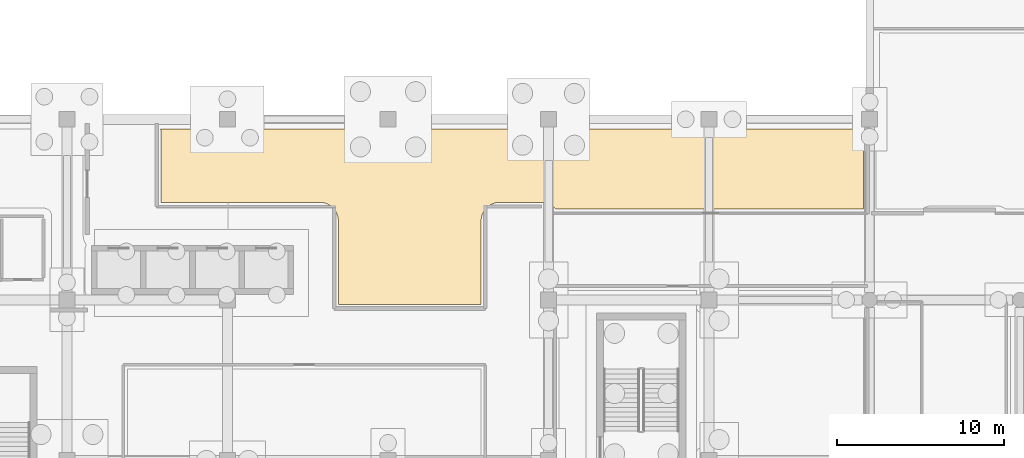
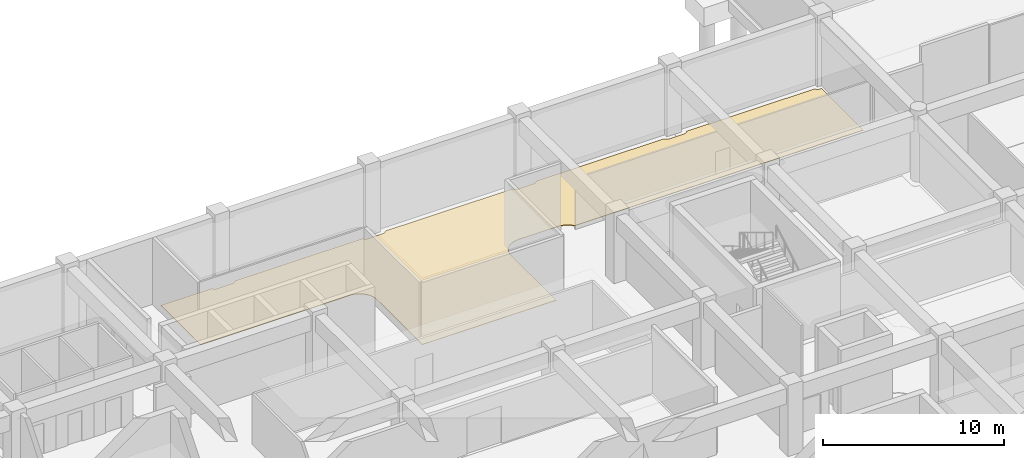
# One storey, part 28 of 47: 1 covering.
"""IFC4 building model written with IfcOpenShell, lengths in metres."""

from ifc_helpers import new_model, si_unit, direction, frame, origin, place, context, subcontext, project, spatial, polyline, outline, extrude, material, layer, layer_set, type_object, element, save


model = new_model("IFC4")

# Units and contexts
model_context = context("Model", 3, precision=1e-05, world=origin(), true_north=direction((0.0, 1.0)))
body_context = subcontext(model_context, "Body", "Model", "MODEL_VIEW")
ifc_project = project(units=[si_unit("LENGTHUNIT", "METRE"), si_unit("AREAUNIT", "SQUARE_METRE"), si_unit("VOLUMEUNIT", "CUBIC_METRE"), si_unit("PLANEANGLEUNIT", "RADIAN"), si_unit("MASSUNIT", "GRAM", prefix="KILO")], contexts=[model_context])

# Site, building, storey
site_placement = place(None, origin())
site = spatial("IfcSite", under=ifc_project, at=site_placement, CompositionType="ELEMENT")
building_placement = place(site_placement, origin())
building = spatial("IfcBuilding", under=site, at=building_placement, Name="Cendralis Terraced Arcade", CompositionType="ELEMENT")
storey_placement = place(building_placement, frame((0.0, 0.0, -4.800048828125)))
storey = spatial("IfcBuildingStorey", under=building, at=storey_placement, Name="B1", CompositionType="ELEMENT", Elevation=-4.800048828125)

# Covering
ifc_material = material(Name="Polished Bogota limestone terrazzo flooring", Category="masonry")
ifc_layer = layer(ifc_material, 0.030029296875, Name="COV-FLR-TERZ-30")
ifc_layer_set = layer_set([ifc_layer], Name="Polished Bogota limestone terrazzo flooring")
covering_type = type_object("IfcCoveringType", Name="COV-FLR-TERZ-30", PredefinedType="FLOORING", material=ifc_layer_set)
covering_placement = place(storey_placement, origin())
element("IfcCovering", 1, at=covering_placement, inside=storey, type_object=covering_type, Name="Interior Finish Flooring B1-004", PredefinedType="FLOORING", context=body_context, shape_type="SweptSolid", body=[
    extrude(outline(polyline([(28.080810546875, 48.610107421875), (28.081298828125, 48.608642578125), (28.093017578125, 48.5869140625), (28.093994140625, 48.58544921875), (28.107666015625, 48.56494140625), (28.108642578125, 48.5634765625), (28.124267578125, 48.54443359375), (28.12548828125, 48.54296875), (28.14306640625, 48.525634765625), (28.144287109375, 48.5244140625), (28.163330078125, 48.5087890625), (28.1650390625, 48.507568359375), (28.185302734375, 48.493896484375), (28.18701171875, 48.492919921875), (28.208740234375, 48.4814453125), (28.21044921875, 48.48046875), (28.233154296875, 48.47119140625), (28.235107421875, 48.470458984375), (28.25830078125, 48.46337890625), (28.260498046875, 48.462890625), (28.284423828125, 48.4580078125), (28.286376953125, 48.457763671875), (28.310791015625, 48.455322265625), (28.312744140625, 48.455322265625), (28.324951171875, 48.455078125), (29.27490234375, 48.455078125), (29.287353515625, 48.455322265625), (29.289306640625, 48.455322265625), (29.313720703125, 48.457763671875), (29.315673828125, 48.4580078125), (29.339599609375, 48.462890625), (29.341552734375, 48.46337890625), (29.364990234375, 48.470458984375), (29.366943359375, 48.47119140625), (29.389404296875, 48.48046875), (29.391357421875, 48.4814453125), (29.4130859375, 48.492919921875), (29.41455078125, 48.493896484375), (29.43505859375, 48.507568359375), (29.4365234375, 48.5087890625), (29.45556640625, 48.5244140625), (29.45703125, 48.525634765625), (29.474365234375, 48.54296875), (29.4755859375, 48.54443359375), (29.4912109375, 48.5634765625), (29.492431640625, 48.56494140625), (29.506103515625, 48.58544921875), (29.507080078125, 48.5869140625), (29.5185546875, 48.608642578125), (29.519287109375, 48.610107421875), (37.6806640625, 48.610107421875), (37.681396484375, 48.608642578125), (37.69287109375, 48.5869140625), (37.69384765625, 48.58544921875), (37.70751953125, 48.56494140625), (37.708740234375, 48.5634765625), (37.724365234375, 48.54443359375), (37.7255859375, 48.54296875), (37.742919921875, 48.525634765625), (37.744384765625, 48.5244140625), (37.763427734375, 48.5087890625), (37.764892578125, 48.507568359375), (37.785400390625, 48.493896484375), (37.787109375, 48.492919921875), (37.80859375, 48.4814453125), (37.810546875, 48.48046875), (37.8330078125, 48.47119140625), (37.8349609375, 48.470458984375), (37.8583984375, 48.46337890625), (37.8603515625, 48.462890625), (37.884521484375, 48.4580078125), (37.886474609375, 48.457763671875), (37.910888671875, 48.455322265625), (37.91259765625, 48.455322265625), (37.925048828125, 48.455078125), (38.875, 48.455078125), (38.88720703125, 48.455322265625), (38.88916015625, 48.455322265625), (38.91357421875, 48.457763671875), (38.91552734375, 48.4580078125), (38.939697265625, 48.462890625), (38.941650390625, 48.46337890625), (38.965087890625, 48.470458984375), (38.966796875, 48.47119140625), (38.989501953125, 48.48046875), (38.9912109375, 48.4814453125), (39.012939453125, 48.492919921875), (39.0146484375, 48.493896484375), (39.034912109375, 48.507568359375), (39.03662109375, 48.5087890625), (39.0556640625, 48.5244140625), (39.056884765625, 48.525634765625), (39.074462890625, 48.54296875), (39.07568359375, 48.54443359375), (39.09130859375, 48.5634765625), (39.09228515625, 48.56494140625), (39.106201171875, 48.58544921875), (39.107177734375, 48.5869140625), (39.11865234375, 48.608642578125), (39.119384765625, 48.610107421875), (47.28076171875, 48.610107421875), (47.281494140625, 48.608642578125), (47.29296875, 48.5869140625), (47.2939453125, 48.58544921875), (47.3076171875, 48.56494140625), (47.30859375, 48.5634765625), (47.32421875, 48.54443359375), (47.32568359375, 48.54296875), (47.343017578125, 48.525634765625), (47.344482421875, 48.5244140625), (47.36328125, 48.5087890625), (47.364990234375, 48.507568359375), (47.385498046875, 48.493896484375), (47.386962890625, 48.492919921875), (47.40869140625, 48.4814453125), (47.410400390625, 48.48046875), (47.43310546875, 48.47119140625), (47.43505859375, 48.470458984375), (47.45849609375, 48.46337890625), (47.46044921875, 48.462890625), (47.484375, 48.4580078125), (47.486328125, 48.457763671875), (47.5107421875, 48.455322265625), (47.5126953125, 48.455322265625), (47.52490234375, 48.455078125), (48.47509765625, 48.455078125), (48.4873046875, 48.455322265625), (48.4892578125, 48.455322265625), (48.513671875, 48.457763671875), (48.515625, 48.4580078125), (48.53955078125, 48.462890625), (48.54150390625, 48.46337890625), (48.56494140625, 48.470458984375), (48.56689453125, 48.47119140625), (48.589599609375, 48.48046875), (48.59130859375, 48.4814453125), (48.613037109375, 48.492919921875), (48.614501953125, 48.493896484375), (48.635009765625, 48.507568359375), (48.63671875, 48.5087890625), (48.655517578125, 48.5244140625), (48.656982421875, 48.525634765625), (48.67431640625, 48.54296875), (48.67578125, 48.54443359375), (48.69140625, 48.5634765625), (48.6923828125, 48.56494140625), (48.7060546875, 48.58544921875), (48.70703125, 48.5869140625), (48.718505859375, 48.608642578125), (48.71923828125, 48.610107421875), (56.880615234375, 48.610107421875), (56.88134765625, 48.608642578125), (56.892822265625, 48.5869140625), (56.893798828125, 48.58544921875), (56.90771484375, 48.56494140625), (56.90869140625, 48.5634765625), (56.92431640625, 48.54443359375), (56.925537109375, 48.54296875), (56.943115234375, 48.525634765625), (56.9443359375, 48.5244140625), (56.96337890625, 48.5087890625), (56.965087890625, 48.507568359375), (56.9853515625, 48.493896484375), (56.987060546875, 48.492919921875), (57.0087890625, 48.4814453125), (57.010498046875, 48.48046875), (57.033203125, 48.47119140625), (57.034912109375, 48.470458984375), (57.058349609375, 48.46337890625), (57.060302734375, 48.462890625), (57.08447265625, 48.4580078125), (57.08642578125, 48.457763671875), (57.11083984375, 48.455322265625), (57.11279296875, 48.455322265625), (57.125, 48.455078125), (58.074951171875, 48.455078125), (58.08740234375, 48.455322265625), (58.089111328125, 48.455322265625), (58.113525390625, 48.457763671875), (58.115478515625, 48.4580078125), (58.1396484375, 48.462890625), (58.1416015625, 48.46337890625), (58.1650390625, 48.470458984375), (58.1669921875, 48.47119140625), (58.189453125, 48.48046875), (58.19140625, 48.4814453125), (58.212890625, 48.492919921875), (58.214599609375, 48.493896484375), (58.235107421875, 48.507568359375), (58.236572265625, 48.5087890625), (58.255615234375, 48.5244140625), (58.257080078125, 48.525634765625), (58.2744140625, 48.54296875), (58.275634765625, 48.54443359375), (58.291259765625, 48.5634765625), (58.29248046875, 48.56494140625), (58.30615234375, 48.58544921875), (58.30712890625, 48.5869140625), (58.318603515625, 48.608642578125), (58.3193359375, 48.610107421875), (66.480712890625, 48.610107421875), (66.4814453125, 48.608642578125), (66.492919921875, 48.5869140625), (66.493896484375, 48.58544921875), (66.507568359375, 48.56494140625), (66.5087890625, 48.5634765625), (66.5244140625, 48.54443359375), (66.525634765625, 48.54296875), (66.54296875, 48.525634765625), (66.54443359375, 48.5244140625), (66.5634765625, 48.5087890625), (66.56494140625, 48.507568359375), (66.58544921875, 48.493896484375), (66.5869140625, 48.492919921875), (66.608642578125, 48.4814453125), (66.610595703125, 48.48046875), (66.633056640625, 48.47119140625), (66.635009765625, 48.470458984375), (66.658447265625, 48.46337890625), (66.660400390625, 48.462890625), (66.684326171875, 48.4580078125), (66.686279296875, 48.457763671875), (66.710693359375, 48.455322265625), (66.712646484375, 48.455322265625), (66.72509765625, 48.455078125), (66.830078125, 48.455078125), (66.830078125, 43.830078125), (48.433837890625, 43.830078125), (48.430908203125, 43.833251953125), (48.42724609375, 43.837890625), (48.423095703125, 43.84228515625), (48.382080078125, 43.887451171875), (48.378173828125, 43.89208984375), (48.3740234375, 43.896240234375), (48.36962890625, 43.900634765625), (48.361328125, 43.908935546875), (48.35693359375, 43.9130859375), (48.352783203125, 43.917236328125), (48.34814453125, 43.92138671875), (48.302978515625, 43.96240234375), (48.298583984375, 43.96630859375), (48.294189453125, 43.97021484375), (48.289306640625, 43.97412109375), (48.2802734375, 43.981689453125), (48.275390625, 43.985595703125), (48.27099609375, 43.989013671875), (48.26611328125, 43.992919921875), (48.217041015625, 44.029052734375), (48.212158203125, 44.03271484375), (48.207275390625, 44.0361328125), (48.202392578125, 44.03955078125), (48.1923828125, 44.046142578125), (48.187255859375, 44.04931640625), (48.182373046875, 44.052490234375), (48.177001953125, 44.055908203125), (48.125, 44.087158203125), (48.11962890625, 44.090087890625), (48.114501953125, 44.093017578125), (48.109130859375, 44.095947265625), (48.098876953125, 44.1015625), (48.09326171875, 44.1044921875), (48.087890625, 44.107177734375), (48.08251953125, 44.109619140625), (48.027587890625, 44.1357421875), (48.02197265625, 44.13818359375), (48.0166015625, 44.140625), (48.010986328125, 44.14306640625), (48.0, 44.147705078125), (47.994384765625, 44.14990234375), (47.989013671875, 44.152099609375), (47.983154296875, 44.154296875), (47.92578125, 44.1748046875), (47.919921875, 44.1767578125), (47.914306640625, 44.178466796875), (47.90869140625, 44.180419921875), (47.897216796875, 44.183837890625), (47.891357421875, 44.185546875), (47.8857421875, 44.18701171875), (47.8798828125, 44.188720703125), (47.82080078125, 44.203369140625), (47.814697265625, 44.204833984375), (47.80908203125, 44.2060546875), (47.802978515625, 44.20751953125), (47.79150390625, 44.209716796875), (47.785400390625, 44.210693359375), (47.77978515625, 44.2119140625), (47.773681640625, 44.212890625), (47.71337890625, 44.2216796875), (47.70751953125, 44.222412109375), (47.701416015625, 44.223388671875), (47.6953125, 44.223876953125), (47.68359375, 44.22509765625), (47.677490234375, 44.2255859375), (47.671630859375, 44.22607421875), (47.66552734375, 44.226318359375), (47.604736328125, 44.2294921875), (47.601806640625, 44.2294921875), (47.598876953125, 44.2294921875), (47.595703125, 44.229736328125), (47.58984375, 44.22998046875), (47.5869140625, 44.22998046875), (47.583740234375, 44.22998046875), (47.580810546875, 44.22998046875), (45.080078125, 44.22998046875), (45.076904296875, 44.22998046875), (45.073974609375, 44.22998046875), (45.07080078125, 44.22998046875), (45.06494140625, 44.229736328125), (45.06201171875, 44.2294921875), (45.05908203125, 44.2294921875), (45.055908203125, 44.2294921875), (44.9951171875, 44.226318359375), (44.989013671875, 44.22607421875), (44.983154296875, 44.2255859375), (44.97705078125, 44.22509765625), (44.96533203125, 44.223876953125), (44.959228515625, 44.223388671875), (44.953369140625, 44.222412109375), (44.947265625, 44.2216796875), (44.88720703125, 44.212890625), (44.881103515625, 44.2119140625), (44.875244140625, 44.210693359375), (44.869384765625, 44.209716796875), (44.857666015625, 44.20751953125), (44.851806640625, 44.2060546875), (44.845947265625, 44.204833984375), (44.840087890625, 44.203369140625), (44.781005859375, 44.188720703125), (44.77490234375, 44.18701171875), (44.769287109375, 44.185546875), (44.763427734375, 44.183837890625), (44.752197265625, 44.180419921875), (44.746337890625, 44.178466796875), (44.74072265625, 44.1767578125), (44.73486328125, 44.1748046875), (44.677734375, 44.154296875), (44.671875, 44.152099609375), (44.66650390625, 44.14990234375), (44.66064453125, 44.147705078125), (44.64990234375, 44.14306640625), (44.644287109375, 44.140625), (44.638916015625, 44.13818359375), (44.63330078125, 44.1357421875), (44.578125, 44.109619140625), (44.57275390625, 44.107177734375), (44.5673828125, 44.1044921875), (44.56201171875, 44.1015625), (44.551513671875, 44.095947265625), (44.546142578125, 44.093017578125), (44.541015625, 44.090087890625), (44.535888671875, 44.087158203125), (44.483642578125, 44.055908203125), (44.478515625, 44.052490234375), (44.473388671875, 44.04931640625), (44.46826171875, 44.046142578125), (44.45849609375, 44.03955078125), (44.453369140625, 44.0361328125), (44.448486328125, 44.03271484375), (44.443603515625, 44.029052734375), (44.394775390625, 43.992919921875), (44.389892578125, 43.989013671875), (44.38525390625, 43.985595703125), (44.380615234375, 43.981689453125), (44.371337890625, 43.97412109375), (44.36669921875, 43.97021484375), (44.3623046875, 43.96630859375), (44.357666015625, 43.96240234375), (44.3125, 43.92138671875), (44.30810546875, 43.917236328125), (44.3037109375, 43.9130859375), (44.29931640625, 43.908935546875), (44.291015625, 43.900634765625), (44.286865234375, 43.896240234375), (44.28271484375, 43.89208984375), (44.278564453125, 43.887451171875), (44.23779296875, 43.84228515625), (44.233642578125, 43.837890625), (44.229736328125, 43.833251953125), (44.225830078125, 43.82861328125), (44.21826171875, 43.819580078125), (44.214599609375, 43.814697265625), (44.2109375, 43.81005859375), (44.207275390625, 43.80517578125), (44.1708984375, 43.75634765625), (44.167236328125, 43.75146484375), (44.163818359375, 43.74658203125), (44.160400390625, 43.741455078125), (44.15380859375, 43.731689453125), (44.150634765625, 43.7265625), (44.1474609375, 43.7216796875), (44.144287109375, 43.71630859375), (44.11279296875, 43.664306640625), (44.10986328125, 43.658935546875), (44.10693359375, 43.65380859375), (44.10400390625, 43.6484375), (44.098388671875, 43.637939453125), (44.095703125, 43.632568359375), (44.093017578125, 43.627197265625), (44.09033203125, 43.621826171875), (44.064208984375, 43.56689453125), (44.061767578125, 43.561279296875), (44.059326171875, 43.555908203125), (44.056884765625, 43.55029296875), (44.052490234375, 43.539306640625), (44.050048828125, 43.53369140625), (44.048095703125, 43.528076171875), (44.0458984375, 43.522216796875), (44.025390625, 43.465087890625), (44.023193359375, 43.459228515625), (44.021484375, 43.45361328125), (44.01953125, 43.44775390625), (44.01611328125, 43.4365234375), (44.014404296875, 43.4306640625), (44.012939453125, 43.425048828125), (44.011474609375, 43.4189453125), (43.99658203125, 43.360107421875), (43.9951171875, 43.35400390625), (43.993896484375, 43.348388671875), (43.99267578125, 43.34228515625), (43.990234375, 43.330810546875), (43.9892578125, 43.32470703125), (43.98828125, 43.31884765625), (43.9873046875, 43.31298828125), (43.978271484375, 43.252685546875), (43.9775390625, 43.24658203125), (43.976806640625, 43.24072265625), (43.97607421875, 43.234619140625), (43.974853515625, 43.222900390625), (43.974365234375, 43.216796875), (43.97412109375, 43.2109375), (43.9736328125, 43.204833984375), (43.970703125, 43.14404296875), (43.970458984375, 43.14111328125), (43.970458984375, 43.137939453125), (43.97021484375, 43.135009765625), (43.97021484375, 43.129150390625), (43.97021484375, 43.1259765625), (43.969970703125, 43.123046875), (43.969970703125, 43.1201171875), (43.969970703125, 38.1298828125), (35.429931640625, 38.1298828125), (35.429931640625, 43.1201171875), (35.429931640625, 43.123046875), (35.429931640625, 43.1259765625), (35.429931640625, 43.129150390625), (35.4296875, 43.135009765625), (35.4296875, 43.137939453125), (35.429443359375, 43.14111328125), (35.429443359375, 43.14404296875), (35.426513671875, 43.204833984375), (35.426025390625, 43.2109375), (35.425537109375, 43.216796875), (35.425048828125, 43.222900390625), (35.423828125, 43.234619140625), (35.42333984375, 43.24072265625), (35.422607421875, 43.24658203125), (35.421630859375, 43.252685546875), (35.412841796875, 43.31298828125), (35.411865234375, 43.31884765625), (35.410888671875, 43.32470703125), (35.40966796875, 43.330810546875), (35.407470703125, 43.34228515625), (35.406005859375, 43.348388671875), (35.40478515625, 43.35400390625), (35.4033203125, 43.360107421875), (35.388671875, 43.4189453125), (35.38720703125, 43.425048828125), (35.385498046875, 43.4306640625), (35.3837890625, 43.4365234375), (35.38037109375, 43.44775390625), (35.37841796875, 43.45361328125), (35.376708984375, 43.459228515625), (35.374755859375, 43.465087890625), (35.354248046875, 43.522216796875), (35.35205078125, 43.528076171875), (35.349853515625, 43.53369140625), (35.34765625, 43.539306640625), (35.343017578125, 43.55029296875), (35.3408203125, 43.555908203125), (35.33837890625, 43.561279296875), (35.335693359375, 43.56689453125), (35.309814453125, 43.621826171875), (35.30712890625, 43.627197265625), (35.304443359375, 43.632568359375), (35.301513671875, 43.637939453125), (35.2958984375, 43.6484375), (35.293212890625, 43.65380859375), (35.290283203125, 43.658935546875), (35.287109375, 43.664306640625), (35.255859375, 43.71630859375), (35.252685546875, 43.7216796875), (35.24951171875, 43.7265625), (35.24609375, 43.731689453125), (35.239501953125, 43.741455078125), (35.236083984375, 43.74658203125), (35.232666015625, 43.75146484375), (35.22900390625, 43.75634765625), (35.19287109375, 43.80517578125), (35.189208984375, 43.81005859375), (35.185546875, 43.814697265625), (35.181640625, 43.819580078125), (35.17431640625, 43.82861328125), (35.170166015625, 43.833251953125), (35.16650390625, 43.837890625), (35.162353515625, 43.84228515625), (35.12158203125, 43.887451171875), (35.1171875, 43.89208984375), (35.11328125, 43.896240234375), (35.10888671875, 43.900634765625), (35.1005859375, 43.908935546875), (35.09619140625, 43.9130859375), (35.092041015625, 43.917236328125), (35.08740234375, 43.92138671875), (35.04248046875, 43.96240234375), (35.037841796875, 43.96630859375), (35.033203125, 43.97021484375), (35.028564453125, 43.97412109375), (35.01953125, 43.981689453125), (35.0146484375, 43.985595703125), (35.010009765625, 43.989013671875), (35.005126953125, 43.992919921875), (34.956298828125, 44.029052734375), (34.951416015625, 44.03271484375), (34.946533203125, 44.0361328125), (34.94140625, 44.03955078125), (34.931640625, 44.046142578125), (34.926513671875, 44.04931640625), (34.921630859375, 44.052490234375), (34.91650390625, 44.055908203125), (34.8642578125, 44.087158203125), (34.85888671875, 44.090087890625), (34.853759765625, 44.093017578125), (34.848388671875, 44.095947265625), (34.837890625, 44.1015625), (34.83251953125, 44.1044921875), (34.827392578125, 44.107177734375), (34.82177734375, 44.109619140625), (34.766845703125, 44.1357421875), (34.76123046875, 44.13818359375), (34.755859375, 44.140625), (34.750244140625, 44.14306640625), (34.7392578125, 44.147705078125), (34.733642578125, 44.14990234375), (34.72802734375, 44.152099609375), (34.722412109375, 44.154296875), (34.6650390625, 44.1748046875), (34.6591796875, 44.1767578125), (34.65380859375, 44.178466796875), (34.647705078125, 44.180419921875), (34.636474609375, 44.183837890625), (34.630615234375, 44.185546875), (34.625, 44.18701171875), (34.618896484375, 44.188720703125), (34.56005859375, 44.203369140625), (34.553955078125, 44.204833984375), (34.54833984375, 44.2060546875), (34.542236328125, 44.20751953125), (34.53076171875, 44.209716796875), (34.524658203125, 44.210693359375), (34.518798828125, 44.2119140625), (34.512939453125, 44.212890625), (34.45263671875, 44.2216796875), (34.446533203125, 44.222412109375), (34.440673828125, 44.223388671875), (34.4345703125, 44.223876953125), (34.4228515625, 44.22509765625), (34.416748046875, 44.2255859375), (34.410888671875, 44.22607421875), (34.40478515625, 44.226318359375), (34.343994140625, 44.2294921875), (34.341064453125, 44.2294921875), (34.337890625, 44.2294921875), (34.3349609375, 44.229736328125), (34.3291015625, 44.22998046875), (34.325927734375, 44.22998046875), (34.322998046875, 44.22998046875), (34.320068359375, 44.22998046875), (24.830078125, 44.22998046875), (24.830078125, 48.360107421875), (24.830078125, 48.363037109375), (24.829833984375, 48.365966796875), (24.829833984375, 48.369140625), (24.82958984375, 48.375), (24.82958984375, 48.3779296875), (24.82958984375, 48.381103515625), (24.829345703125, 48.384033203125), (24.826416015625, 48.44482421875), (24.825927734375, 48.450927734375), (24.82568359375, 48.456787109375), (24.8251953125, 48.462890625), (24.823974609375, 48.474609375), (24.8232421875, 48.480712890625), (24.822509765625, 48.486572265625), (24.82177734375, 48.49267578125), (24.812744140625, 48.552978515625), (24.811767578125, 48.558837890625), (24.810791015625, 48.564697265625), (24.809814453125, 48.57080078125), (24.807373046875, 48.582275390625), (24.80615234375, 48.58837890625), (24.8046875, 48.593994140625), (24.803466796875, 48.60009765625), (24.80078125, 48.610107421875), (28.080810546875, 48.610107421875)])), origin(), (0.0, 0.0, 1.0), 0.030029296875),
])

save(model, "model.ifc")
